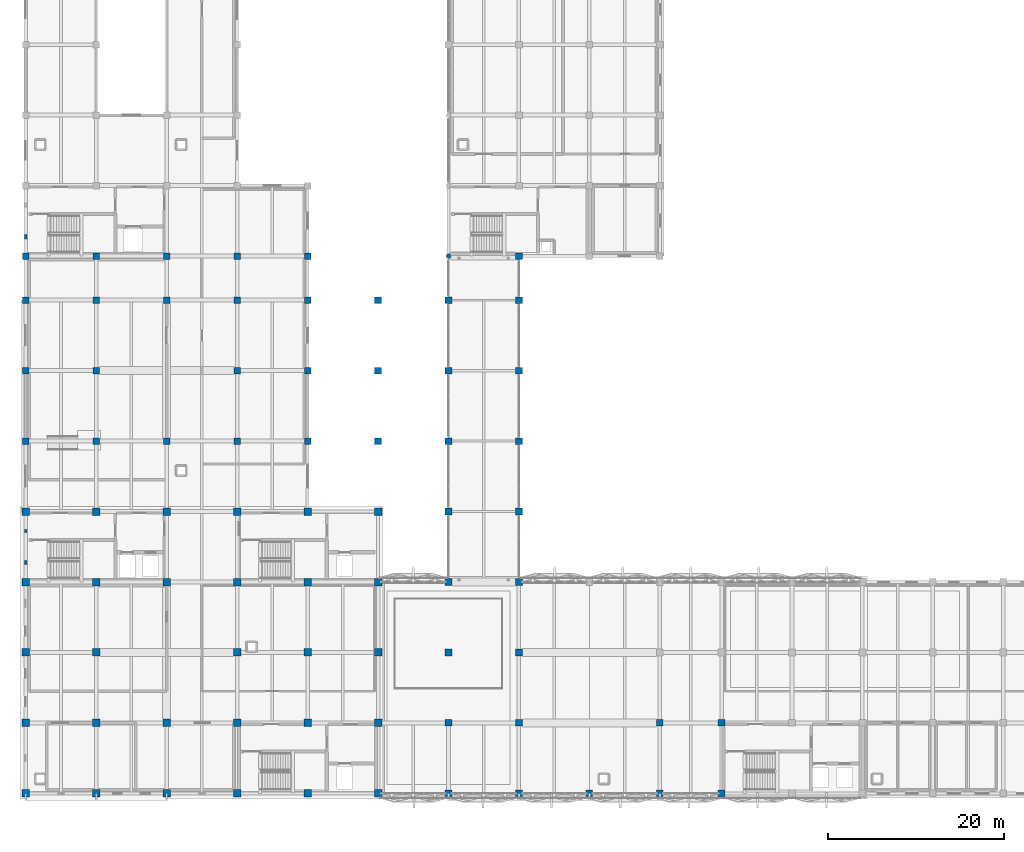
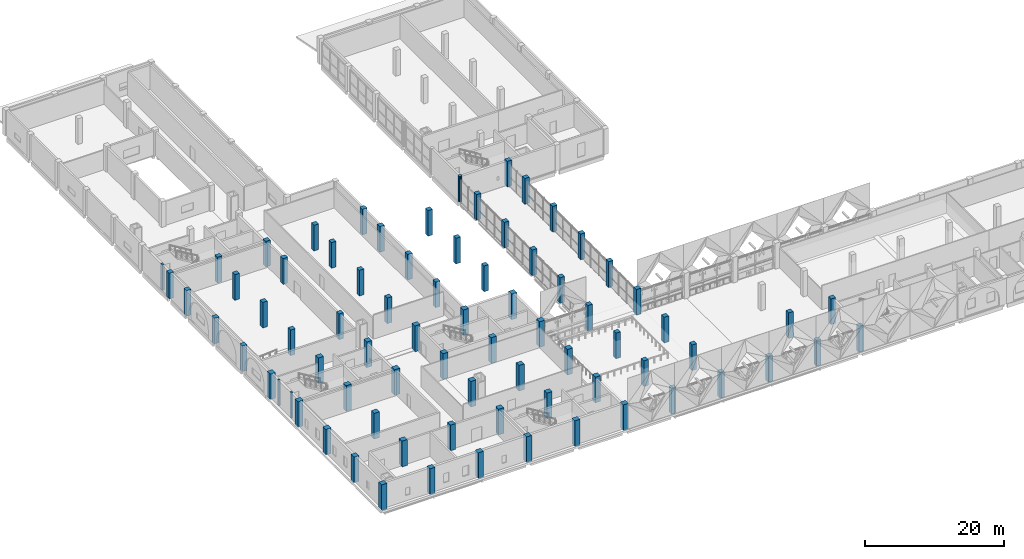
# One storey, part 1 of 53: 77 columns.
"""IFC4 building model written with IfcOpenShell, lengths in metres."""

from ifc_helpers import new_model, si_unit, direction, frame, origin, origin_2d, place, context, subcontext, project, spatial, rectangle, circle, extrude, material, material_profile, profile_set, type_object, element, save


model = new_model("IFC4")

# Units and contexts
model_context = context("Model", 3, precision=1e-05, world=origin(), true_north=direction((0.0, 1.0)))
body_context = subcontext(model_context, "Body", "Model", "MODEL_VIEW")
ifc_project = project(units=[si_unit("LENGTHUNIT", "METRE"), si_unit("AREAUNIT", "SQUARE_METRE"), si_unit("VOLUMEUNIT", "CUBIC_METRE"), si_unit("PLANEANGLEUNIT", "RADIAN"), si_unit("MASSUNIT", "GRAM", prefix="KILO")], contexts=[model_context])

# Site, building, storey
site_placement = place(None, origin())
site = spatial("IfcSite", under=ifc_project, at=site_placement, CompositionType="ELEMENT")
building_placement = place(site_placement, origin())
building = spatial("IfcBuilding", under=site, at=building_placement, Name="Qorikala Patio Media Centre", CompositionType="ELEMENT")
storey_placement = place(building_placement, frame((0.0, 0.0, 5.39990234375)))
storey = spatial("IfcBuildingStorey", under=building, at=storey_placement, Name="L01", CompositionType="ELEMENT", Elevation=5.39990234375)

# Columns
ifc_material_1 = material(Name="Comanche Granite and Concrete C35/45", Category="masonry")
ifc_material_profile_1 = material_profile(ifc_material_1, circle(Radius=0.260009765625, at=origin_2d()), Name="STONE COL D520")
ifc_profile_set_1 = profile_set([ifc_material_profile_1], Name="Comanche Granite and Concrete C35/45")
column_type_1 = type_object("IfcColumnType", Name="COL-ARC-520", PredefinedType="COLUMN", material=ifc_profile_set_1)
column_1_placement = place(storey_placement, frame((51.0, 64.0, 0.0), z_axis=(0.0, 0.0, 1.0), x_axis=(1.0, 0.0, 0.0)))
element("IfcColumn", 1, at=column_1_placement, inside=storey, type_object=column_type_1, Name="L01 Column (51,64)", PredefinedType="COLUMN", context=body_context, shape_type="SweptSolid", body=[
    extrude(circle(Radius=0.260009765625, at=origin_2d()), origin(), (0.0, 0.0, 1.0), 4.5),
])
ifc_material_profile_2 = material_profile(ifc_material_1, rectangle(XDim=0.3798828125, YDim=0.239990234375, at=origin_2d()), Name="PIL 380x240")
ifc_profile_set_2 = profile_set([ifc_material_profile_2], Name="Comanche Granite and Concrete C35/45")
column_type_2 = type_object("IfcColumnType", Name="PIL-380X240", PredefinedType="PILASTER", material=ifc_profile_set_2)
column_2_placement = place(storey_placement, frame((3.0, 32.800048828125, 0.0), z_axis=(0.0, 0.0, 1.0), x_axis=(0.0, 1.0, 0.0)))
element("IfcColumn", 2, at=column_2_placement, inside=storey, type_object=column_type_2, Name="L01 West Street Core Pilaster 002", PredefinedType="PILASTER", context=body_context, shape_type="SweptSolid", body=[
    extrude(rectangle(XDim=0.3798828125, YDim=0.239990234375, at=origin_2d()), origin(), (0.0, 0.0, 1.0), 4.5),
])
ifc_material_profile_3 = material_profile(ifc_material_1, rectangle(XDim=0.43994140625, YDim=0.280029296875, at=origin_2d()), Name="PIL 440x280")
ifc_profile_set_3 = profile_set([ifc_material_profile_3], Name="Comanche Granite and Concrete C35/45")
column_type_3 = type_object("IfcColumnType", Name="PIL-440X280", PredefinedType="PILASTER", material=ifc_profile_set_3)
column_3_placement = place(storey_placement, frame((3.0, 29.199951171875, 0.0), z_axis=(0.0, 0.0, 1.0), x_axis=(0.0, 1.0, 0.0)))
element("IfcColumn", 3, at=column_3_placement, inside=storey, type_object=column_type_3, Name="L01 West Street Core Pilaster 001", PredefinedType="PILASTER", context=body_context, shape_type="SweptSolid", body=[
    extrude(rectangle(XDim=0.43994140625, YDim=0.280029296875, at=origin_2d()), origin(), (0.0, 0.0, 1.0), 4.5),
])
ifc_material_profile_4 = material_profile(ifc_material_1, rectangle(XDim=0.52001953125, YDim=0.320068359375, at=origin_2d()), Name="PIL 520x320")
ifc_profile_set_4 = profile_set([ifc_material_profile_4], Name="Comanche Granite and Concrete C35/45")
column_type_4 = type_object("IfcColumnType", Name="PIL-520X320", PredefinedType="PILASTER", material=ifc_profile_set_4)
column_4_placement = place(storey_placement, frame((3.0, 66.199951171875, 0.0), z_axis=(0.0, 0.0, 1.0), x_axis=(0.0, 1.0, 0.0)))
element("IfcColumn", 4, at=column_4_placement, inside=storey, type_object=column_type_4, Name="L01 West Street Core Pilaster 003", PredefinedType="PILASTER", context=body_context, shape_type="SweptSolid", body=[
    extrude(rectangle(XDim=0.52001953125, YDim=0.320068359375, at=origin_2d()), origin(), (0.0, 0.0, 1.0), 4.5),
])
ifc_material_2 = material(Name="Concrete C35/45", Category="concrete")
ifc_material_profile_5 = material_profile(ifc_material_2, rectangle(XDim=0.75, YDim=0.75, at=origin_2d()), Name="RC 750x750")
ifc_profile_set_5 = profile_set([ifc_material_profile_5], Name="Concrete C35/45")
column_type_5 = type_object("IfcColumnType", Name="RC-COL-750-EXT", PredefinedType="COLUMN", material=ifc_profile_set_5)
for number, where, z_axis, x_axis, name in (
    (5, (3.0, 43.0, 0.0), (0.0, 0.0, 1.0), (1.0, 0.0, 0.0), "L01 Column (3,43)"),
    (6, (3.0, 51.0, 0.0), (0.0, 0.0, 1.0), (1.0, 0.0, 0.0), "L01 Column (3,51)"),
    (7, (3.0, 59.0, 0.0), (0.0, 0.0, 1.0), (1.0, 0.0, 0.0), "L01 Column (3,59)"),
    (8, (3.0, 64.0, 0.0), (0.0, 0.0, 1.0), (1.0, 0.0, 0.0), "L01 Column (3,64)"),
    (9, (35.0, 43.0, 0.0), (0.0, 0.0, 1.0), (1.0, 0.0, 0.0), "L01 Column (35,43)"),
    (10, (35.0, 51.0, 0.0), (0.0, 0.0, 1.0), (1.0, 0.0, 0.0), "L01 Column (35,51)"),
    (11, (35.0, 59.0, 0.0), (0.0, 0.0, 1.0), (1.0, 0.0, 0.0), "L01 Column (35,59)"),
    (12, (35.0, 64.0, 0.0), (0.0, 0.0, 1.0), (1.0, 0.0, 0.0), "L01 Column (35,64)"),
    (13, (43.0, 43.0, 0.0), (0.0, 0.0, 1.0), (1.0, 0.0, 0.0), "L01 Column (43,43)"),
    (14, (43.0, 51.0, 0.0), (0.0, 0.0, 1.0), (1.0, 0.0, 0.0), "L01 Column (43,51)"),
    (15, (43.0, 59.0, 0.0), (0.0, 0.0, 1.0), (1.0, 0.0, 0.0), "L01 Column (43,59)"),
    (16, (51.0, 3.0, 0.0), (0.0, 0.0, 1.0), (1.0, 0.0, 0.0), "L01 Column (51,3)"),
    (17, (51.0, 27.0, 0.0), (0.0, 0.0, 1.0), (1.0, 0.0, 0.0), "L01 Column (51,27)"),
    (18, (51.0, 35.0, 0.0), (0.0, 0.0, 1.0), (1.0, 0.0, 0.0), "L01 Column (51,35)"),
    (19, (51.0, 43.0, 0.0), (0.0, 0.0, 1.0), (1.0, 0.0, 0.0), "L01 Column (51,43)"),
    (20, (51.0, 51.0, 0.0), (0.0, 0.0, 1.0), (1.0, 0.0, 0.0), "L01 Column (51,51)"),
    (21, (51.0, 59.0, 0.0), (0.0, 0.0, 1.0), (1.0, 0.0, 0.0), "L01 Column (51,59)"),
    (22, (59.0, 3.0, 0.0), (0.0, 0.0, 1.0), (1.0, 0.0, 0.0), "L01 Column (59,3)"),
    (23, (59.0, 27.0, 0.0), (0.0, 0.0, 1.0), (1.0, 0.0, 0.0), "L01 Column (59,27)"),
    (24, (59.0, 35.0, 0.0), (0.0, 0.0, 1.0), (1.0, 0.0, 0.0), "L01 Column (59,35)"),
    (25, (59.0, 43.0, 0.0), (0.0, 0.0, 1.0), (1.0, 0.0, 0.0), "L01 Column (59,43)"),
    (26, (59.0, 51.0, 0.0), (0.0, 0.0, 1.0), (1.0, 0.0, 0.0), "L01 Column (59,51)"),
    (27, (59.0, 59.0, 0.0), (0.0, 0.0, 1.0), (1.0, 0.0, 0.0), "L01 Column (59,59)"),
    (28, (59.0, 64.0, 0.0), (0.0, 0.0, 1.0), (1.0, 0.0, 0.0), "L01 Column (59,64)"),
    (29, (67.0, 3.0, 0.0), (0.0, 0.0, 1.0), (1.0, 0.0, 0.0), "L01 Column (67,3)"),
    (30, (75.0, 3.0, 0.0), (0.0, 0.0, 1.0), (1.0, 0.0, 0.0), "L01 Column (75,3)"),
    (31, (82.0, 3.0, 0.0), (0.0, 0.0, 1.0), (1.0, 0.0, 0.0), "L01 Column (82,3)"),
):
    element("IfcColumn", number, at=place(storey_placement, frame(where, z_axis=z_axis, x_axis=x_axis)), inside=storey, type_object=column_type_5, Name=name, PredefinedType="COLUMN", context=body_context, shape_type="SweptSolid", body=[
        extrude(rectangle(XDim=0.75, YDim=0.75, at=origin_2d()), origin(), (0.0, 0.0, 1.0), 4.5),
    ])
ifc_material_profile_6 = material_profile(ifc_material_2, rectangle(XDim=0.75, YDim=0.75, at=origin_2d()), Name="RC 750x750")
ifc_profile_set_6 = profile_set([ifc_material_profile_6], Name="Concrete C35/45")
column_type_6 = type_object("IfcColumnType", Name="RC-COL-750-INT", PredefinedType="COLUMN", material=ifc_profile_set_6)
for number, where, z_axis, x_axis, name in (
    (32, (11.0, 43.0, 0.0), (0.0, 0.0, 1.0), (1.0, 0.0, 0.0), "L01 Column (11,43)"),
    (33, (11.0, 51.0, 0.0), (0.0, 0.0, 1.0), (1.0, 0.0, 0.0), "L01 Column (11,51)"),
    (34, (11.0, 59.0, 0.0), (0.0, 0.0, 1.0), (1.0, 0.0, 0.0), "L01 Column (11,59)"),
    (35, (11.0, 64.0, 0.0), (0.0, 0.0, 1.0), (1.0, 0.0, 0.0), "L01 Column (11,64)"),
    (36, (19.0, 43.0, 0.0), (0.0, 0.0, 1.0), (1.0, 0.0, 0.0), "L01 Column (19,43)"),
    (37, (19.0, 59.0, 0.0), (0.0, 0.0, 1.0), (1.0, 0.0, 0.0), "L01 Column (19,59)"),
    (38, (19.0, 64.0, 0.0), (0.0, 0.0, 1.0), (1.0, 0.0, 0.0), "L01 Column (19,64)"),
    (39, (27.0, 43.0, 0.0), (0.0, 0.0, 1.0), (1.0, 0.0, 0.0), "L01 Column (27,43)"),
    (40, (27.0, 51.0, 0.0), (0.0, 0.0, 1.0), (1.0, 0.0, 0.0), "L01 Column (27,51)"),
    (41, (27.0, 59.0, 0.0), (0.0, 0.0, 1.0), (1.0, 0.0, 0.0), "L01 Column (27,59)"),
    (42, (27.0, 64.0, 0.0), (0.0, 0.0, 1.0), (1.0, 0.0, 0.0), "L01 Column (27,64)"),
    (43, (51.0, 11.0, 0.0), (0.0, 0.0, 1.0), (1.0, 0.0, 0.0), "L01 Column (51,11)"),
    (44, (51.0, 19.0, 0.0), (0.0, 0.0, 1.0), (1.0, 0.0, 0.0), "L01 Column (51,19)"),
    (45, (59.0, 11.0, 0.0), (0.0, 0.0, 1.0), (1.0, 0.0, 0.0), "L01 Column (59,11)"),
    (46, (59.0, 19.0, 0.0), (0.0, 0.0, 1.0), (1.0, 0.0, 0.0), "L01 Column (59,19)"),
    (47, (75.0, 11.0, 0.0), (0.0, 0.0, 1.0), (1.0, 0.0, 0.0), "L01 Column (75,11)"),
    (48, (82.0, 11.0, 0.0), (0.0, 0.0, 1.0), (1.0, 0.0, 0.0), "L01 Column (82,11)"),
):
    element("IfcColumn", number, at=place(storey_placement, frame(where, z_axis=z_axis, x_axis=x_axis)), inside=storey, type_object=column_type_6, Name=name, PredefinedType="COLUMN", context=body_context, shape_type="SweptSolid", body=[
        extrude(rectangle(XDim=0.75, YDim=0.75, at=origin_2d()), origin(), (0.0, 0.0, 1.0), 4.5),
    ])
ifc_material_profile_7 = material_profile(ifc_material_2, rectangle(XDim=0.85009765625, YDim=0.85009765625, at=origin_2d()), Name="RC 850x850")
ifc_profile_set_7 = profile_set([ifc_material_profile_7], Name="Concrete C35/45")
column_type_7 = type_object("IfcColumnType", Name="RC-COL-850-EXT", PredefinedType="COLUMN", material=ifc_profile_set_7)
for number, where, z_axis, x_axis, name in (
    (49, (3.0, 3.0, 0.0), (0.0, 0.0, 1.0), (1.0, 0.0, 0.0), "L01 Column (3,3)"),
    (50, (3.0, 11.0, 0.0), (0.0, 0.0, 1.0), (1.0, 0.0, 0.0), "L01 Column (3,11)"),
    (51, (3.0, 19.0, 0.0), (0.0, 0.0, 1.0), (1.0, 0.0, 0.0), "L01 Column (3,19)"),
    (52, (3.0, 27.0, 0.0), (0.0, 0.0, 1.0), (1.0, 0.0, 0.0), "L01 Column (3,27)"),
    (53, (3.0, 35.0, 0.0), (0.0, 0.0, 1.0), (1.0, 0.0, 0.0), "L01 Column (3,35)"),
    (54, (11.0, 3.0, 0.0), (0.0, 0.0, 1.0), (1.0, 0.0, 0.0), "L01 Column (11,3)"),
    (55, (19.0, 3.0, 0.0), (0.0, 0.0, 1.0), (1.0, 0.0, 0.0), "L01 Column (19,3)"),
    (56, (27.0, 3.0, 0.0), (0.0, 0.0, 1.0), (1.0, 0.0, 0.0), "L01 Column (27,3)"),
    (57, (35.0, 3.0, 0.0), (0.0, 0.0, 1.0), (1.0, 0.0, 0.0), "L01 Column (35,3)"),
    (58, (35.0, 35.0, 0.0), (0.0, 0.0, 1.0), (1.0, 0.0, 0.0), "L01 Column (35,35)"),
    (59, (43.0, 3.0, 0.0), (0.0, 0.0, 1.0), (1.0, 0.0, 0.0), "L01 Column (43,3)"),
    (60, (43.0, 27.0, 0.0), (0.0, 0.0, 1.0), (1.0, 0.0, 0.0), "L01 Column (43,27)"),
    (61, (43.0, 35.0, 0.0), (0.0, 0.0, 1.0), (1.0, 0.0, 0.0), "L01 Column (43,35)"),
):
    element("IfcColumn", number, at=place(storey_placement, frame(where, z_axis=z_axis, x_axis=x_axis)), inside=storey, type_object=column_type_7, Name=name, PredefinedType="COLUMN", context=body_context, shape_type="SweptSolid", body=[
        extrude(rectangle(XDim=0.85009765625, YDim=0.85009765625, at=origin_2d()), origin(), (0.0, 0.0, 1.0), 4.5),
    ])
ifc_material_profile_8 = material_profile(ifc_material_2, rectangle(XDim=0.85009765625, YDim=0.85009765625, at=origin_2d()), Name="RC 850x850")
ifc_profile_set_8 = profile_set([ifc_material_profile_8], Name="Concrete C35/45")
column_type_8 = type_object("IfcColumnType", Name="RC-COL-850-INT", PredefinedType="COLUMN", material=ifc_profile_set_8)
for number, where, z_axis, x_axis, name in (
    (62, (11.0, 11.0, 0.0), (0.0, 0.0, 1.0), (1.0, 0.0, 0.0), "L01 Column (11,11)"),
    (63, (11.0, 19.0, 0.0), (0.0, 0.0, 1.0), (1.0, 0.0, 0.0), "L01 Column (11,19)"),
    (64, (11.0, 27.0, 0.0), (0.0, 0.0, 1.0), (1.0, 0.0, 0.0), "L01 Column (11,27)"),
    (65, (11.0, 35.0, 0.0), (0.0, 0.0, 1.0), (1.0, 0.0, 0.0), "L01 Column (11,35)"),
    (66, (19.0, 11.0, 0.0), (0.0, 0.0, 1.0), (1.0, 0.0, 0.0), "L01 Column (19,11)"),
    (67, (19.0, 27.0, 0.0), (0.0, 0.0, 1.0), (1.0, 0.0, 0.0), "L01 Column (19,27)"),
    (68, (19.0, 35.0, 0.0), (0.0, 0.0, 1.0), (1.0, 0.0, 0.0), "L01 Column (19,35)"),
    (69, (27.0, 11.0, 0.0), (0.0, 0.0, 1.0), (1.0, 0.0, 0.0), "L01 Column (27,11)"),
    (70, (27.0, 19.0, 0.0), (0.0, 0.0, 1.0), (1.0, 0.0, 0.0), "L01 Column (27,19)"),
    (71, (27.0, 27.0, 0.0), (0.0, 0.0, 1.0), (1.0, 0.0, 0.0), "L01 Column (27,27)"),
    (72, (27.0, 35.0, 0.0), (0.0, 0.0, 1.0), (1.0, 0.0, 0.0), "L01 Column (27,35)"),
    (73, (35.0, 11.0, 0.0), (0.0, 0.0, 1.0), (1.0, 0.0, 0.0), "L01 Column (35,11)"),
    (74, (35.0, 19.0, 0.0), (0.0, 0.0, 1.0), (1.0, 0.0, 0.0), "L01 Column (35,19)"),
    (75, (35.0, 27.0, 0.0), (0.0, 0.0, 1.0), (1.0, 0.0, 0.0), "L01 Column (35,27)"),
    (76, (43.0, 11.0, 0.0), (0.0, 0.0, 1.0), (1.0, 0.0, 0.0), "L01 Column (43,11)"),
    (77, (43.0, 19.0, 0.0), (0.0, 0.0, 1.0), (1.0, 0.0, 0.0), "L01 Column (43,19)"),
):
    element("IfcColumn", number, at=place(storey_placement, frame(where, z_axis=z_axis, x_axis=x_axis)), inside=storey, type_object=column_type_8, Name=name, PredefinedType="COLUMN", context=body_context, shape_type="SweptSolid", body=[
        extrude(rectangle(XDim=0.85009765625, YDim=0.85009765625, at=origin_2d()), origin(), (0.0, 0.0, 1.0), 4.5),
    ])

save(model, "model.ifc")
